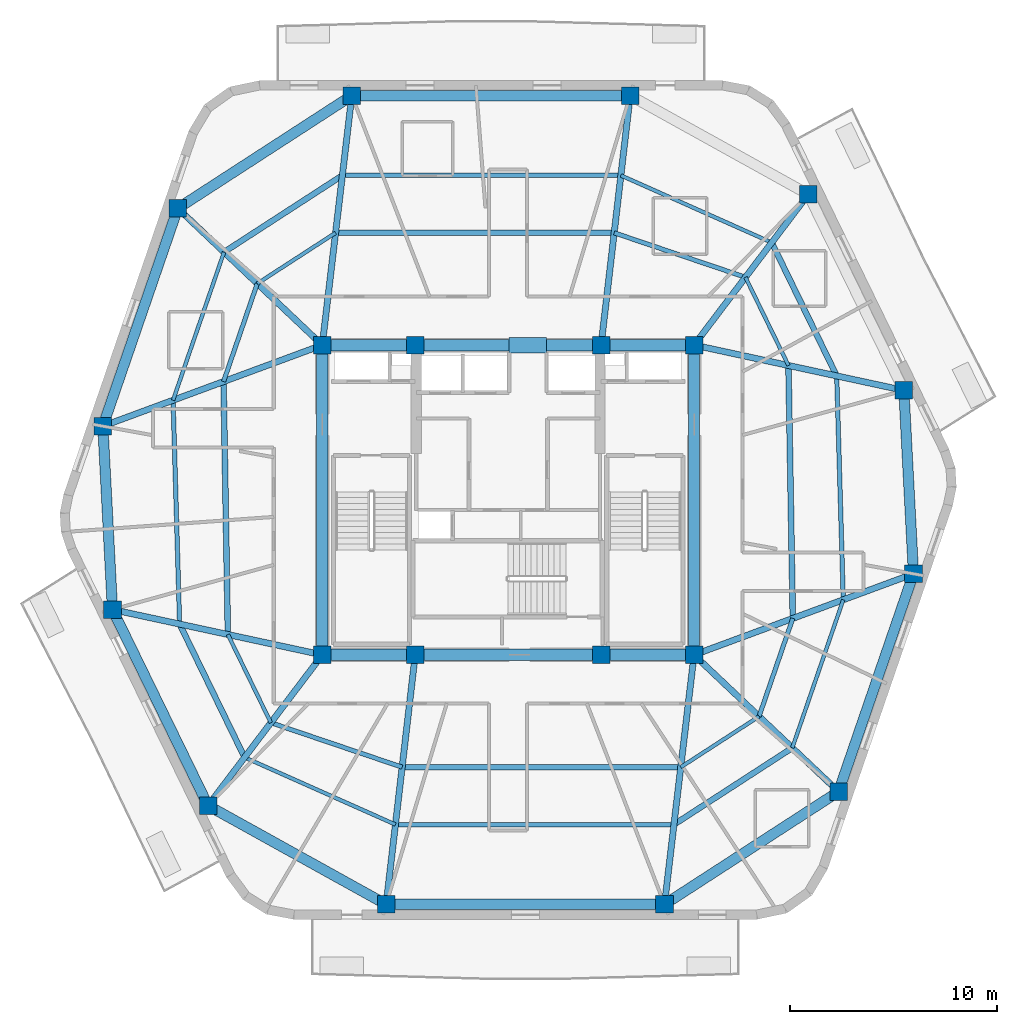
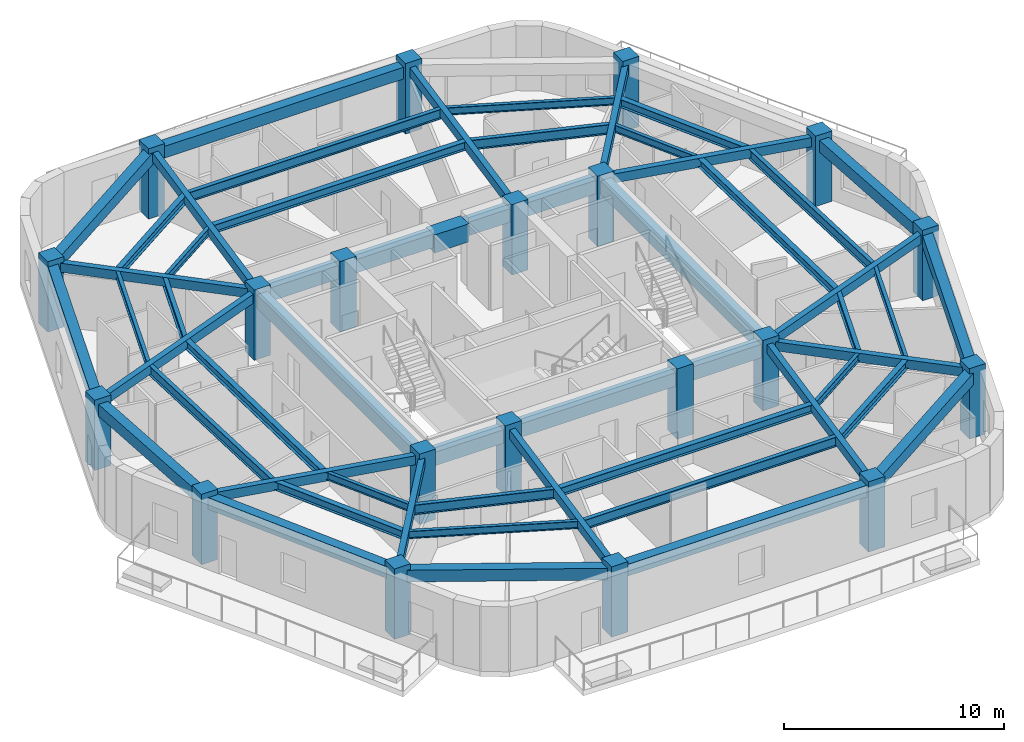
# One storey, part 1 of 9: 55 beams, 20 columns.
"""IFC4 building model written with IfcOpenShell, lengths in metres."""

from ifc_helpers import new_model, si_unit, direction, frame, origin, origin_2d, place, context, subcontext, project, spatial, rectangle, i_section, extrude, material, material_profile, profile_set, type_object, element, save


model = new_model("IFC4")

# Units and contexts
model_context = context("Model", 3, precision=1e-05, world=origin(), true_north=direction((0.0, 1.0)))
body_context = subcontext(model_context, "Body", "Model", "MODEL_VIEW")
ifc_project = project(units=[si_unit("LENGTHUNIT", "METRE"), si_unit("AREAUNIT", "SQUARE_METRE"), si_unit("VOLUMEUNIT", "CUBIC_METRE"), si_unit("PLANEANGLEUNIT", "RADIAN"), si_unit("MASSUNIT", "GRAM", prefix="KILO")], contexts=[model_context])

# Site, building, storey
site_placement = place(None, origin())
site = spatial("IfcSite", under=ifc_project, at=site_placement, CompositionType="ELEMENT")
building_placement = place(site_placement, origin())
building = spatial("IfcBuilding", under=site, at=building_placement, Name="Kilnhurst Terrace Hotel", CompositionType="ELEMENT")
storey_placement = place(building_placement, frame((0.0, 0.0, 280.800048828125)))
storey = spatial("IfcBuildingStorey", under=building, at=storey_placement, Name="L70", CompositionType="ELEMENT", Elevation=280.800048828125)

# Columns
ifc_material_1 = material(Name="Concrete C60/75", Category="concrete")
ifc_material_profile_1 = material_profile(ifc_material_1, rectangle(XDim=0.85009765625, YDim=0.85009765625, at=origin_2d()), Name="RC850X850")
ifc_profile_set_1 = profile_set([ifc_material_profile_1], Name="Concrete C60/75")
column_type = type_object("IfcColumnType", Name="COL-RC-850", PredefinedType="COLUMN", material=ifc_profile_set_1)
for number, where, z_axis, x_axis, name in (
    (1, (-9.0, -7.5, 0.0), (0.0, 0.0, 1.0), (1.0, 0.0, 0.0), "L70 Structural Column CC-SW"),
    (2, (-4.5, -7.5, 0.0), (0.0, 0.0, 1.0), (1.0, 0.0, 0.0), "L70 Structural Column CC-SC1"),
    (3, (4.5, -7.5, 0.0), (0.0, 0.0, 1.0), (1.0, 0.0, 0.0), "L70 Structural Column CC-SC2"),
    (4, (9.0, -7.5, 0.0), (0.0, 0.0, 1.0), (1.0, 0.0, 0.0), "L70 Structural Column CC-SE"),
    (5, (9.0, 7.5, 0.0), (0.0, 0.0, 1.0), (1.0, 0.0, 0.0), "L70 Structural Column CC-NE"),
    (6, (4.5, 7.5, 0.0), (0.0, 0.0, 1.0), (1.0, 0.0, 0.0), "L70 Structural Column CC-NC2"),
    (7, (-4.5, 7.5, 0.0), (0.0, 0.0, 1.0), (1.0, 0.0, 0.0), "L70 Structural Column CC-NC1"),
    (8, (-9.0, 7.5, 0.0), (0.0, 0.0, 1.0), (1.0, 0.0, 0.0), "L70 Structural Column CC-NW"),
    (9, (-5.907958984375, -19.580078125, 0.0), (0.0, 0.0, 1.0), (1.0, 0.0, 0.0), "L70 Structural Column PC-F11"),
    (10, (7.569091796875, -19.580078125, 0.0), (0.0, 0.0, 1.0), (1.0, 0.0, 0.0), "L70 Structural Column PC-F12"),
    (11, (15.9951171875, -14.12109375, 0.0), (0.0, 0.0, 1.0), (1.0, 0.0, 0.0), "L70 Structural Column PC-F21"),
    (12, (19.6240234375, -3.573974609375, 0.0), (0.0, 0.0, 1.0), (1.0, 0.0, 0.0), "L70 Structural Column PC-F22"),
    (13, (19.157958984375, 5.304931640625, 0.0), (0.0, 0.0, 1.0), (1.0, 0.0, 0.0), "L70 Structural Column PC-F31"),
    (14, (14.531005859375, 14.798095703125, 0.0), (0.0, 0.0, 1.0), (1.0, 0.0, 0.0), "L70 Structural Column PC-F32"),
    (15, (5.907958984375, 19.580078125, 0.0), (0.0, 0.0, 1.0), (1.0, 0.0, 0.0), "L70 Structural Column PC-F41"),
    (16, (-7.569091796875, 19.580078125, 0.0), (0.0, 0.0, 1.0), (1.0, 0.0, 0.0), "L70 Structural Column PC-F42"),
    (17, (-15.9951171875, 14.12109375, 0.0), (0.0, 0.0, 1.0), (1.0, 0.0, 0.0), "L70 Structural Column PC-F51"),
    (18, (-19.6240234375, 3.573974609375, 0.0), (0.0, 0.0, 1.0), (1.0, 0.0, 0.0), "L70 Structural Column PC-F52"),
    (19, (-19.157958984375, -5.304931640625, 0.0), (0.0, 0.0, 1.0), (1.0, 0.0, 0.0), "L70 Structural Column PC-F61"),
    (20, (-14.531005859375, -14.798095703125, 0.0), (0.0, 0.0, 1.0), (1.0, 0.0, 0.0), "L70 Structural Column PC-F62"),
):
    element("IfcColumn", number, at=place(storey_placement, frame(where, z_axis=z_axis, x_axis=x_axis)), inside=storey, type_object=column_type, Name=name, PredefinedType="COLUMN", context=body_context, shape_type="SweptSolid", body=[
        extrude(rectangle(XDim=0.85009765625, YDim=0.85009765625, at=origin_2d()), origin(), (0.0, 0.0, 1.0), 3.89990234375),
    ])

# Beams
ifc_material_2 = material(Name="Concrete C50/60", Category="concrete")
ifc_material_profile_2 = material_profile(ifc_material_2, rectangle(XDim=0.300048828125, YDim=0.5, at=origin_2d()), Name="RC300X500")
ifc_profile_set_2 = profile_set([ifc_material_profile_2], Name="Concrete C50/60")
beam_type_1 = type_object("IfcBeamType", Name="BM-RAD-300X500", PredefinedType="BEAM", material=ifc_profile_set_2)
beam_1_placement = place(storey_placement, frame((-4.5, -7.5, 3.349853515625), z_axis=(-0.115768472001, -0.993276225876, 0.0), x_axis=(0.993276225876, -0.115768472001, 0.0)))
element("IfcBeam", 21, at=beam_1_placement, inside=storey, type_object=beam_type_1, Name="L70 Radial Floor Beam 1", PredefinedType="BEAM", context=body_context, shape_type="SweptSolid", body=[
    extrude(rectangle(XDim=0.300048828125, YDim=0.5, at=origin_2d()), origin(), (0.0, 0.0, 1.0), 12.161865234375),
])
beam_2_placement = place(storey_placement, frame((9.0, -7.5, 3.349853515625), z_axis=(-0.117629552811, -0.993057545314, 0.0), x_axis=(0.993057545314, -0.117629552811, 0.0)))
element("IfcBeam", 22, at=beam_2_placement, inside=storey, type_object=beam_type_1, Name="L70 Radial Floor Beam 2", PredefinedType="BEAM", context=body_context, shape_type="SweptSolid", body=[
    extrude(rectangle(XDim=0.300048828125, YDim=0.5, at=origin_2d()), origin(), (0.0, 0.0, 1.0), 12.16455078125),
])
beam_3_placement = place(storey_placement, frame((9.0, -7.5, 3.349853515625), z_axis=(0.726256338973, -0.687423981326, 0.0), x_axis=(0.687423981326, 0.726256338973, 0.0)))
element("IfcBeam", 23, at=beam_3_placement, inside=storey, type_object=beam_type_1, Name="L70 Radial Floor Beam 3", PredefinedType="BEAM", context=body_context, shape_type="SweptSolid", body=[
    extrude(rectangle(XDim=0.300048828125, YDim=0.5, at=origin_2d()), origin(), (0.0, 0.0, 1.0), 9.6318359375),
])
beam_4_placement = place(storey_placement, frame((9.0, -7.5, 3.349853515625), z_axis=(0.938001507479, 0.3466311757, 0.0), x_axis=(-0.3466311757, 0.938001507479, 0.0)))
element("IfcBeam", 24, at=beam_4_placement, inside=storey, type_object=beam_type_1, Name="L70 Radial Floor Beam 4", PredefinedType="BEAM", context=body_context, shape_type="SweptSolid", body=[
    extrude(rectangle(XDim=0.300048828125, YDim=0.5, at=origin_2d()), origin(), (0.0, 0.0, 1.0), 11.326171875),
])
beam_5_placement = place(storey_placement, frame((9.0, 7.5, 3.349853515625), z_axis=(0.977438945995, -0.211218149913, 0.0), x_axis=(0.211218149913, 0.977438945995, 0.0)))
element("IfcBeam", 25, at=beam_5_placement, inside=storey, type_object=beam_type_1, Name="L70 Radial Floor Beam 5", PredefinedType="BEAM", context=body_context, shape_type="SweptSolid", body=[
    extrude(rectangle(XDim=0.300048828125, YDim=0.5, at=origin_2d()), origin(), (0.0, 0.0, 1.0), 10.392333984375),
])
beam_6_placement = place(storey_placement, frame((9.0, 7.5, 3.349853515625), z_axis=(0.604006537698, 0.79697936135, 0.0), x_axis=(-0.79697936135, 0.604006537698, 0.0)))
element("IfcBeam", 26, at=beam_6_placement, inside=storey, type_object=beam_type_1, Name="L70 Radial Floor Beam 6", PredefinedType="BEAM", context=body_context, shape_type="SweptSolid", body=[
    extrude(rectangle(XDim=0.300048828125, YDim=0.5, at=origin_2d()), origin(), (0.0, 0.0, 1.0), 9.1572265625),
])
beam_7_placement = place(storey_placement, frame((4.5, 7.5, 3.349853515625), z_axis=(0.115768472001, 0.993276225876, 0.0), x_axis=(-0.993276225876, 0.115768472001, 0.0)))
element("IfcBeam", 27, at=beam_7_placement, inside=storey, type_object=beam_type_1, Name="L70 Radial Floor Beam 7", PredefinedType="BEAM", context=body_context, shape_type="SweptSolid", body=[
    extrude(rectangle(XDim=0.300048828125, YDim=0.5, at=origin_2d()), origin(), (0.0, 0.0, 1.0), 12.161865234375),
])
beam_8_placement = place(storey_placement, frame((-9.0, 7.5, 3.349853515625), z_axis=(0.117629552811, 0.993057545314, 0.0), x_axis=(-0.993057545314, 0.117629552811, 0.0)))
element("IfcBeam", 28, at=beam_8_placement, inside=storey, type_object=beam_type_1, Name="L70 Radial Floor Beam 8", PredefinedType="BEAM", context=body_context, shape_type="SweptSolid", body=[
    extrude(rectangle(XDim=0.300048828125, YDim=0.5, at=origin_2d()), origin(), (0.0, 0.0, 1.0), 12.16455078125),
])
beam_9_placement = place(storey_placement, frame((-9.0, 7.5, 3.349853515625), z_axis=(-0.726256338973, 0.687423981326, 0.0), x_axis=(-0.687423981326, -0.726256338973, 0.0)))
element("IfcBeam", 29, at=beam_9_placement, inside=storey, type_object=beam_type_1, Name="L70 Radial Floor Beam 9", PredefinedType="BEAM", context=body_context, shape_type="SweptSolid", body=[
    extrude(rectangle(XDim=0.300048828125, YDim=0.5, at=origin_2d()), origin(), (0.0, 0.0, 1.0), 9.6318359375),
])
beam_10_placement = place(storey_placement, frame((-9.0, 7.5, 3.349853515625), z_axis=(-0.938001507479, -0.3466311757, 0.0), x_axis=(0.3466311757, -0.938001507479, 0.0)))
element("IfcBeam", 30, at=beam_10_placement, inside=storey, type_object=beam_type_1, Name="L70 Radial Floor Beam 10", PredefinedType="BEAM", context=body_context, shape_type="SweptSolid", body=[
    extrude(rectangle(XDim=0.300048828125, YDim=0.5, at=origin_2d()), origin(), (0.0, 0.0, 1.0), 11.326171875),
])
beam_11_placement = place(storey_placement, frame((-9.0, -7.5, 3.349853515625), z_axis=(-0.977438945995, 0.211218149913, 0.0), x_axis=(-0.211218149913, -0.977438945995, 0.0)))
element("IfcBeam", 31, at=beam_11_placement, inside=storey, type_object=beam_type_1, Name="L70 Radial Floor Beam 11", PredefinedType="BEAM", context=body_context, shape_type="SweptSolid", body=[
    extrude(rectangle(XDim=0.300048828125, YDim=0.5, at=origin_2d()), origin(), (0.0, 0.0, 1.0), 10.392333984375),
])
beam_12_placement = place(storey_placement, frame((-9.0, -7.5, 3.349853515625), z_axis=(-0.604006537698, -0.79697936135, 0.0), x_axis=(0.79697936135, -0.604006537698, 0.0)))
element("IfcBeam", 32, at=beam_12_placement, inside=storey, type_object=beam_type_1, Name="L70 Radial Floor Beam 12", PredefinedType="BEAM", context=body_context, shape_type="SweptSolid", body=[
    extrude(rectangle(XDim=0.300048828125, YDim=0.5, at=origin_2d()), origin(), (0.0, 0.0, 1.0), 9.1572265625),
])
ifc_material_profile_3 = material_profile(ifc_material_2, rectangle(XDim=0.5, YDim=0.64990234375, at=origin_2d()), Name="RC500X650")
ifc_profile_set_3 = profile_set([ifc_material_profile_3], Name="Concrete C50/60")
beam_type_2 = type_object("IfcBeamType", Name="BM-SPN-500X650", PredefinedType="SPANDREL", material=ifc_profile_set_3)
beam_13_placement = place(storey_placement, frame((-5.907958984375, -19.580078125, 3.27490234375), z_axis=(1.0, 0.0, 0.0), x_axis=(0.0, 1.0, 0.0)))
element("IfcBeam", 33, at=beam_13_placement, inside=storey, type_object=beam_type_2, Name="L70 Perimeter Spandrel Beam 1", PredefinedType="SPANDREL", context=body_context, shape_type="SweptSolid", body=[
    extrude(rectangle(XDim=0.5, YDim=0.64990234375, at=origin_2d()), origin(), (0.0, 0.0, 1.0), 13.47705078125),
])
beam_14_placement = place(storey_placement, frame((7.569091796875, -19.580078125, 3.27490234375), z_axis=(0.839258818809, 0.543732135386, 0.0), x_axis=(-0.543732135386, 0.839258818809, 0.0)))
element("IfcBeam", 34, at=beam_14_placement, inside=storey, type_object=beam_type_2, Name="L70 Perimeter Spandrel Beam 2", PredefinedType="SPANDREL", context=body_context, shape_type="SweptSolid", body=[
    extrude(rectangle(XDim=0.5, YDim=0.64990234375, at=origin_2d()), origin(), (0.0, 0.0, 1.0), 10.039794921875),
])
beam_15_placement = place(storey_placement, frame((15.9951171875, -14.12109375, 3.27490234375), z_axis=(0.325347079026, 0.945594669068, 0.0), x_axis=(-0.945594669068, 0.325347079026, 0.0)))
element("IfcBeam", 35, at=beam_15_placement, inside=storey, type_object=beam_type_2, Name="L70 Perimeter Spandrel Beam 3", PredefinedType="SPANDREL", context=body_context, shape_type="SweptSolid", body=[
    extrude(rectangle(XDim=0.5, YDim=0.64990234375, at=origin_2d()), origin(), (0.0, 0.0, 1.0), 11.154052734375),
])
beam_16_placement = place(storey_placement, frame((19.6240234375, -3.573974609375, 3.27490234375), z_axis=(-0.052419034962, 0.998625177318, 0.0), x_axis=(-0.998625177318, -0.052419034962, 0.0)))
element("IfcBeam", 36, at=beam_16_placement, inside=storey, type_object=beam_type_2, Name="L70 Perimeter Spandrel Beam 4", PredefinedType="SPANDREL", context=body_context, shape_type="SweptSolid", body=[
    extrude(rectangle(XDim=0.5, YDim=0.64990234375, at=origin_2d()), origin(), (0.0, 0.0, 1.0), 8.89111328125),
])
beam_17_placement = place(storey_placement, frame((5.907958984375, 19.580078125, 3.27490234375), z_axis=(-1.0, 0.0, 0.0), x_axis=(0.0, -1.0, 0.0)))
element("IfcBeam", 37, at=beam_17_placement, inside=storey, type_object=beam_type_2, Name="L70 Perimeter Spandrel Beam 7", PredefinedType="SPANDREL", context=body_context, shape_type="SweptSolid", body=[
    extrude(rectangle(XDim=0.5, YDim=0.64990234375, at=origin_2d()), origin(), (0.0, 0.0, 1.0), 13.47705078125),
])
beam_18_placement = place(storey_placement, frame((-7.569091796875, 19.580078125, 3.27490234375), z_axis=(-0.839258818809, -0.543732135386, 0.0), x_axis=(0.543732135386, -0.839258818809, 0.0)))
element("IfcBeam", 38, at=beam_18_placement, inside=storey, type_object=beam_type_2, Name="L70 Perimeter Spandrel Beam 8", PredefinedType="SPANDREL", context=body_context, shape_type="SweptSolid", body=[
    extrude(rectangle(XDim=0.5, YDim=0.64990234375, at=origin_2d()), origin(), (0.0, 0.0, 1.0), 10.039794921875),
])
beam_19_placement = place(storey_placement, frame((-15.9951171875, 14.12109375, 3.27490234375), z_axis=(-0.325347079026, -0.945594669068, 0.0), x_axis=(0.945594669068, -0.325347079026, 0.0)))
element("IfcBeam", 39, at=beam_19_placement, inside=storey, type_object=beam_type_2, Name="L70 Perimeter Spandrel Beam 9", PredefinedType="SPANDREL", context=body_context, shape_type="SweptSolid", body=[
    extrude(rectangle(XDim=0.5, YDim=0.64990234375, at=origin_2d()), origin(), (0.0, 0.0, 1.0), 11.154052734375),
])
beam_20_placement = place(storey_placement, frame((-19.6240234375, 3.573974609375, 3.27490234375), z_axis=(0.052419034962, -0.998625177318, 0.0), x_axis=(0.998625177318, 0.052419034962, 0.0)))
element("IfcBeam", 40, at=beam_20_placement, inside=storey, type_object=beam_type_2, Name="L70 Perimeter Spandrel Beam 10", PredefinedType="SPANDREL", context=body_context, shape_type="SweptSolid", body=[
    extrude(rectangle(XDim=0.5, YDim=0.64990234375, at=origin_2d()), origin(), (0.0, 0.0, 1.0), 8.89111328125),
])
beam_21_placement = place(storey_placement, frame((-19.157958984375, -5.304931640625, 3.27490234375), z_axis=(0.438128464895, -0.898912369616, 0.0), x_axis=(0.898912369616, 0.438128464895, 0.0)))
element("IfcBeam", 41, at=beam_21_placement, inside=storey, type_object=beam_type_2, Name="L70 Perimeter Spandrel Beam 11", PredefinedType="SPANDREL", context=body_context, shape_type="SweptSolid", body=[
    extrude(rectangle(XDim=0.5, YDim=0.64990234375, at=origin_2d()), origin(), (0.0, 0.0, 1.0), 10.560791015625),
])
beam_22_placement = place(storey_placement, frame((-14.531005859375, -14.798095703125, 3.27490234375), z_axis=(0.874527255888, -0.484976369227, 0.0), x_axis=(0.484976369227, 0.874527255888, 0.0)))
element("IfcBeam", 42, at=beam_22_placement, inside=storey, type_object=beam_type_2, Name="L70 Perimeter Spandrel Beam 12", PredefinedType="SPANDREL", context=body_context, shape_type="SweptSolid", body=[
    extrude(rectangle(XDim=0.5, YDim=0.64990234375, at=origin_2d()), origin(), (0.0, 0.0, 1.0), 9.8603515625),
])
ifc_material_profile_4 = material_profile(ifc_material_2, rectangle(XDim=0.550048828125, YDim=0.75, at=origin_2d()), Name="RC550X750")
ifc_profile_set_4 = profile_set([ifc_material_profile_4], Name="Concrete C50/60")
beam_type_3 = type_object("IfcBeamType", Name="BM-SPN-550X750", PredefinedType="SPANDREL", material=ifc_profile_set_4)
beam_23_placement = place(storey_placement, frame((-9.0, 7.5, 3.224853515625), z_axis=(1.0, 0.0, 0.0), x_axis=(0.0, 1.0, 0.0)))
element("IfcBeam", 43, at=beam_23_placement, inside=storey, type_object=beam_type_3, Name="L70 Core Tie Beam CC-NW to CC-NC1", PredefinedType="SPANDREL", context=body_context, shape_type="SweptSolid", body=[
    extrude(rectangle(XDim=0.550048828125, YDim=0.75, at=origin_2d()), origin(), (0.0, 0.0, 1.0), 4.5),
])
beam_24_placement = place(storey_placement, frame((-4.5, 7.5, 3.224853515625), z_axis=(1.0, 0.0, 0.0), x_axis=(0.0, 1.0, 0.0)))
element("IfcBeam", 44, at=beam_24_placement, inside=storey, type_object=beam_type_3, Name="L70 Core Tie Beam CC-NC1 to CC-NC2", PredefinedType="SPANDREL", context=body_context, shape_type="SweptSolid", body=[
    extrude(rectangle(XDim=0.550048828125, YDim=0.75, at=origin_2d()), origin(), (0.0, 0.0, 1.0), 9.0),
])
for number, where, z_axis, x_axis, name in (
    (45, (4.5, 7.5, 3.224853515625), (1.0, 0.0, 0.0), (0.0, 1.0, 0.0), "L70 Core Tie Beam CC-NC2 to CC-NE"),
    (46, (-9.0, -7.5, 3.224853515625), (1.0, 0.0, 0.0), (0.0, 1.0, 0.0), "L70 Core Tie Beam CC-SW to CC-SC1"),
):
    element("IfcBeam", number, at=place(storey_placement, frame(where, z_axis=z_axis, x_axis=x_axis)), inside=storey, type_object=beam_type_3, Name=name, PredefinedType="SPANDREL", context=body_context, shape_type="SweptSolid", body=[
        extrude(rectangle(XDim=0.550048828125, YDim=0.75, at=origin_2d()), origin(), (0.0, 0.0, 1.0), 4.5),
    ])
beam_25_placement = place(storey_placement, frame((-4.5, -7.5, 3.224853515625), z_axis=(1.0, 0.0, 0.0), x_axis=(0.0, 1.0, 0.0)))
element("IfcBeam", 47, at=beam_25_placement, inside=storey, type_object=beam_type_3, Name="L70 Core Tie Beam CC-SC1 to CC-SC2", PredefinedType="SPANDREL", context=body_context, shape_type="SweptSolid", body=[
    extrude(rectangle(XDim=0.550048828125, YDim=0.75, at=origin_2d()), origin(), (0.0, 0.0, 1.0), 9.0),
])
beam_26_placement = place(storey_placement, frame((4.5, -7.5, 3.224853515625), z_axis=(1.0, 0.0, 0.0), x_axis=(0.0, 1.0, 0.0)))
element("IfcBeam", 48, at=beam_26_placement, inside=storey, type_object=beam_type_3, Name="L70 Core Tie Beam CC-SC2 to CC-SE", PredefinedType="SPANDREL", context=body_context, shape_type="SweptSolid", body=[
    extrude(rectangle(XDim=0.550048828125, YDim=0.75, at=origin_2d()), origin(), (0.0, 0.0, 1.0), 4.5),
])
for number, where, z_axis, x_axis, name in (
    (49, (-9.0, -7.5, 3.224853515625), (0.0, 1.0, 0.0), (-1.0, 0.0, 0.0), "L70 Core Tie Beam CC-SW to CC-NW"),
    (50, (9.0, -7.5, 3.224853515625), (0.0, 1.0, 0.0), (-1.0, 0.0, 0.0), "L70 Core Tie Beam CC-SE to CC-NE"),
):
    element("IfcBeam", number, at=place(storey_placement, frame(where, z_axis=z_axis, x_axis=x_axis)), inside=storey, type_object=beam_type_3, Name=name, PredefinedType="SPANDREL", context=body_context, shape_type="SweptSolid", body=[
        extrude(rectangle(XDim=0.550048828125, YDim=0.75, at=origin_2d()), origin(), (0.0, 0.0, 1.0), 15.0),
    ])
ifc_material_3 = material(Name="Steel ASTM A992 Grade 50", Category="steel")
ifc_material_profile_5 = material_profile(ifc_material_3, i_section(OverallWidth=0.180908203125, OverallDepth=0.417236328125, WebThickness=0.010986328125, FlangeThickness=0.018310546875, at=origin_2d()), Name="W16X57")
ifc_profile_set_5 = profile_set([ifc_material_profile_5], Name="Steel ASTM A992 Grade 50")
beam_type_4 = type_object("IfcBeamType", Name="JST-STL-W16X57", PredefinedType="JOIST", material=ifc_profile_set_5)
beam_27_placement = place(storey_placement, frame((13.756591796875, -12.002197265625, 3.390869140625), z_axis=(0.325367628202, 0.945587598543, 0.0), x_axis=(-0.945587598543, 0.325367628202, 0.0)))
element("IfcBeam", 51, at=beam_27_placement, inside=storey, type_object=beam_type_4, Name="L70 Secondary Floor Steel Joist OUT.3", PredefinedType="JOIST", context=body_context, shape_type="SweptSolid", body=[
    extrude(i_section(OverallWidth=0.180908203125, OverallDepth=0.417236328125, WebThickness=0.010986328125, FlangeThickness=0.018310546875, at=origin_2d()), origin(), (0.0, 0.0, 1.0), 7.58447265625),
])
beam_28_placement = place(storey_placement, frame((12.760986328125, 12.462646484375, 3.390869140625), z_axis=(-0.913545640569, 0.406736232216, 0.0), x_axis=(-0.406736232216, -0.913545640569, 0.0)))
element("IfcBeam", 52, at=beam_28_placement, inside=storey, type_object=beam_type_4, Name="L70 Secondary Floor Steel Joist OUT.6", PredefinedType="JOIST", context=body_context, shape_type="SweptSolid", body=[
    extrude(i_section(OverallWidth=0.180908203125, OverallDepth=0.417236328125, WebThickness=0.010986328125, FlangeThickness=0.018310546875, at=origin_2d()), origin(), (0.0, 0.0, 1.0), 7.99462890625),
])
beam_29_placement = place(storey_placement, frame((-13.756591796875, 12.002197265625, 3.390869140625), z_axis=(-0.325367628202, -0.945587598543, 0.0), x_axis=(0.945587598543, -0.325367628202, 0.0)))
element("IfcBeam", 53, at=beam_29_placement, inside=storey, type_object=beam_type_4, Name="L70 Secondary Floor Steel Joist OUT.9", PredefinedType="JOIST", context=body_context, shape_type="SweptSolid", body=[
    extrude(i_section(OverallWidth=0.180908203125, OverallDepth=0.417236328125, WebThickness=0.010986328125, FlangeThickness=0.018310546875, at=origin_2d()), origin(), (0.0, 0.0, 1.0), 7.58447265625),
])
beam_30_placement = place(storey_placement, frame((-12.760986328125, -12.462646484375, 3.390869140625), z_axis=(0.913545640569, -0.406736232216, 0.0), x_axis=(0.406736232216, 0.913545640569, 0.0)))
element("IfcBeam", 54, at=beam_30_placement, inside=storey, type_object=beam_type_4, Name="L70 Secondary Floor Steel Joist OUT.12", PredefinedType="JOIST", context=body_context, shape_type="SweptSolid", body=[
    extrude(i_section(OverallWidth=0.180908203125, OverallDepth=0.417236328125, WebThickness=0.010986328125, FlangeThickness=0.018310546875, at=origin_2d()), origin(), (0.0, 0.0, 1.0), 7.99462890625),
])
beam_31_placement = place(storey_placement, frame((8.35595703125, -12.93603515625, 3.390869140625), z_axis=(0.839261215199, 0.543728436503, 0.0), x_axis=(-0.543728436503, 0.839261215199, 0.0)))
element("IfcBeam", 55, at=beam_31_placement, inside=storey, type_object=beam_type_4, Name="L70 Secondary Floor Steel Joist IN.2", PredefinedType="JOIST", context=body_context, shape_type="SweptSolid", body=[
    extrude(i_section(OverallWidth=0.180908203125, OverallDepth=0.417236328125, WebThickness=0.010986328125, FlangeThickness=0.018310546875, at=origin_2d()), origin(), (0.0, 0.0, 1.0), 4.51806640625),
])
beam_32_placement = place(storey_placement, frame((13.571044921875, 6.51220703125, 3.390869140625), z_axis=(-0.438107813647, 0.898922434708, 0.0), x_axis=(-0.898922434708, -0.438107813647, 0.0)))
element("IfcBeam", 56, at=beam_32_placement, inside=storey, type_object=beam_type_4, Name="L70 Secondary Floor Steel Joist IN.5", PredefinedType="JOIST", context=body_context, shape_type="SweptSolid", body=[
    extrude(i_section(OverallWidth=0.180908203125, OverallDepth=0.417236328125, WebThickness=0.010986328125, FlangeThickness=0.018310546875, at=origin_2d()), origin(), (0.0, 0.0, 1.0), 4.75244140625),
])
beam_33_placement = place(storey_placement, frame((-8.35595703125, 12.93603515625, 3.390869140625), z_axis=(-0.839261215199, -0.543728436503, 0.0), x_axis=(0.543728436503, -0.839261215199, 0.0)))
element("IfcBeam", 57, at=beam_33_placement, inside=storey, type_object=beam_type_4, Name="L70 Secondary Floor Steel Joist IN.8", PredefinedType="JOIST", context=body_context, shape_type="SweptSolid", body=[
    extrude(i_section(OverallWidth=0.180908203125, OverallDepth=0.417236328125, WebThickness=0.010986328125, FlangeThickness=0.018310546875, at=origin_2d()), origin(), (0.0, 0.0, 1.0), 4.51806640625),
])
beam_34_placement = place(storey_placement, frame((-13.571044921875, -6.51220703125, 3.390869140625), z_axis=(0.438107813647, -0.898922434708, 0.0), x_axis=(0.898922434708, 0.438107813647, 0.0)))
element("IfcBeam", 58, at=beam_34_placement, inside=storey, type_object=beam_type_4, Name="L70 Secondary Floor Steel Joist IN.11", PredefinedType="JOIST", context=body_context, shape_type="SweptSolid", body=[
    extrude(i_section(OverallWidth=0.180908203125, OverallDepth=0.417236328125, WebThickness=0.010986328125, FlangeThickness=0.018310546875, at=origin_2d()), origin(), (0.0, 0.0, 1.0), 4.75244140625),
])
ifc_material_profile_6 = material_profile(ifc_material_3, i_section(OverallWidth=0.279296875, OverallDepth=0.462890625, WebThickness=0.0107421875, FlangeThickness=0.017333984375, at=origin_2d()), Name="W18X76")
ifc_profile_set_6 = profile_set([ifc_material_profile_6], Name="Steel ASTM A992 Grade 50")
beam_type_5 = type_object("IfcBeamType", Name="JST-STL-W18X76", PredefinedType="JOIST", material=ifc_profile_set_6)
beam_35_placement = place(storey_placement, frame((8.02685546875, -15.71435546875, 3.367919921875), z_axis=(0.839257246669, 0.543734562001, 0.0), x_axis=(-0.543734562001, 0.839257246669, 0.0)))
element("IfcBeam", 59, at=beam_35_placement, inside=storey, type_object=beam_type_5, Name="L70 Secondary Floor Steel Joist OUT.2", PredefinedType="JOIST", context=body_context, shape_type="SweptSolid", body=[
    extrude(i_section(OverallWidth=0.279296875, OverallDepth=0.462890625, WebThickness=0.0107421875, FlangeThickness=0.017333984375, at=origin_2d()), origin(), (0.0, 0.0, 1.0), 6.8271484375),
])
beam_36_placement = place(storey_placement, frame((15.907470703125, 6.00732421875, 3.367919921875), z_axis=(-0.438147652742, 0.898903017237, 0.0), x_axis=(-0.898903017237, -0.438147652742, 0.0)))
element("IfcBeam", 60, at=beam_36_placement, inside=storey, type_object=beam_type_5, Name="L70 Secondary Floor Steel Joist OUT.5", PredefinedType="JOIST", context=body_context, shape_type="SweptSolid", body=[
    extrude(i_section(OverallWidth=0.279296875, OverallDepth=0.462890625, WebThickness=0.0107421875, FlangeThickness=0.017333984375, at=origin_2d()), origin(), (0.0, 0.0, 1.0), 7.181396484375),
])
beam_37_placement = place(storey_placement, frame((-8.02685546875, 15.71435546875, 3.367919921875), z_axis=(-0.839257246669, -0.543734562001, 0.0), x_axis=(0.543734562001, -0.839257246669, 0.0)))
element("IfcBeam", 61, at=beam_37_placement, inside=storey, type_object=beam_type_5, Name="L70 Secondary Floor Steel Joist OUT.8", PredefinedType="JOIST", context=body_context, shape_type="SweptSolid", body=[
    extrude(i_section(OverallWidth=0.279296875, OverallDepth=0.462890625, WebThickness=0.0107421875, FlangeThickness=0.017333984375, at=origin_2d()), origin(), (0.0, 0.0, 1.0), 6.8271484375),
])
beam_38_placement = place(storey_placement, frame((-15.907470703125, -6.00732421875, 3.367919921875), z_axis=(0.438147652742, -0.898903017237, 0.0), x_axis=(0.898903017237, 0.438147652742, 0.0)))
element("IfcBeam", 62, at=beam_38_placement, inside=storey, type_object=beam_type_5, Name="L70 Secondary Floor Steel Joist OUT.11", PredefinedType="JOIST", context=body_context, shape_type="SweptSolid", body=[
    extrude(i_section(OverallWidth=0.279296875, OverallDepth=0.462890625, WebThickness=0.0107421875, FlangeThickness=0.017333984375, at=origin_2d()), origin(), (0.0, 0.0, 1.0), 7.181396484375),
])
beam_39_placement = place(storey_placement, frame((-5.133544921875, -12.93603515625, 3.367919921875), z_axis=(1.0, 0.0, 0.0), x_axis=(0.0, 1.0, 0.0)))
element("IfcBeam", 63, at=beam_39_placement, inside=storey, type_object=beam_type_5, Name="L70 Secondary Floor Steel Joist IN.1", PredefinedType="JOIST", context=body_context, shape_type="SweptSolid", body=[
    extrude(i_section(OverallWidth=0.279296875, OverallDepth=0.462890625, WebThickness=0.0107421875, FlangeThickness=0.017333984375, at=origin_2d()), origin(), (0.0, 0.0, 1.0), 13.489501953125),
])
beam_40_placement = place(storey_placement, frame((13.78076171875, -5.7333984375, 3.367919921875), z_axis=(-0.01712337129, 0.99985338433, 0.0), x_axis=(-0.99985338433, -0.01712337129, 0.0)))
element("IfcBeam", 64, at=beam_40_placement, inside=storey, type_object=beam_type_5, Name="L70 Secondary Floor Steel Joist IN.4", PredefinedType="JOIST", context=body_context, shape_type="SweptSolid", body=[
    extrude(i_section(OverallWidth=0.279296875, OverallDepth=0.462890625, WebThickness=0.0107421875, FlangeThickness=0.017333984375, at=origin_2d()), origin(), (0.0, 0.0, 1.0), 12.247314453125),
])
beam_41_placement = place(storey_placement, frame((5.133544921875, 12.93603515625, 3.367919921875), z_axis=(-1.0, 0.0, 0.0), x_axis=(0.0, -1.0, 0.0)))
element("IfcBeam", 65, at=beam_41_placement, inside=storey, type_object=beam_type_5, Name="L70 Secondary Floor Steel Joist IN.7", PredefinedType="JOIST", context=body_context, shape_type="SweptSolid", body=[
    extrude(i_section(OverallWidth=0.279296875, OverallDepth=0.462890625, WebThickness=0.0107421875, FlangeThickness=0.017333984375, at=origin_2d()), origin(), (0.0, 0.0, 1.0), 13.489501953125),
])
beam_42_placement = place(storey_placement, frame((-13.78076171875, 5.7333984375, 3.367919921875), z_axis=(0.01712337129, -0.99985338433, 0.0), x_axis=(0.99985338433, 0.01712337129, 0.0)))
element("IfcBeam", 66, at=beam_42_placement, inside=storey, type_object=beam_type_5, Name="L70 Secondary Floor Steel Joist IN.10", PredefinedType="JOIST", context=body_context, shape_type="SweptSolid", body=[
    extrude(i_section(OverallWidth=0.279296875, OverallDepth=0.462890625, WebThickness=0.0107421875, FlangeThickness=0.017333984375, at=origin_2d()), origin(), (0.0, 0.0, 1.0), 12.247314453125),
])
ifc_material_profile_7 = material_profile(ifc_material_3, i_section(OverallWidth=0.2138671875, OverallDepth=0.549072265625, WebThickness=0.0146484375, FlangeThickness=0.023681640625, at=origin_2d()), Name="W21X93")
ifc_profile_set_7 = profile_set([ifc_material_profile_7], Name="Steel ASTM A992 Grade 50")
beam_type_6 = type_object("IfcBeamType", Name="JST-STL-W21X93", PredefinedType="JOIST", material=ifc_profile_set_7)
beam_43_placement = place(storey_placement, frame((-5.45751953125, -15.71435546875, 3.324951171875), z_axis=(1.0, 0.0, 0.0), x_axis=(0.0, 1.0, 0.0)))
element("IfcBeam", 67, at=beam_43_placement, inside=storey, type_object=beam_type_6, Name="L70 Secondary Floor Steel Joist OUT.1", PredefinedType="JOIST", context=body_context, shape_type="SweptSolid", body=[
    extrude(i_section(OverallWidth=0.2138671875, OverallDepth=0.549072265625, WebThickness=0.0146484375, FlangeThickness=0.023681640625, at=origin_2d()), origin(), (0.0, 0.0, 1.0), 13.484375),
])
beam_44_placement = place(storey_placement, frame((16.224365234375, -4.830322265625, 3.324951171875), z_axis=(-0.029227669324, 0.999572780415, 0.0), x_axis=(-0.999572780415, -0.029227669324, 0.0)))
element("IfcBeam", 68, at=beam_44_placement, inside=storey, type_object=beam_type_6, Name="L70 Secondary Floor Steel Joist OUT.4", PredefinedType="JOIST", context=body_context, shape_type="SweptSolid", body=[
    extrude(i_section(OverallWidth=0.2138671875, OverallDepth=0.549072265625, WebThickness=0.0146484375, FlangeThickness=0.023681640625, at=origin_2d()), origin(), (0.0, 0.0, 1.0), 10.84228515625),
])
beam_45_placement = place(storey_placement, frame((5.45751953125, 15.71435546875, 3.324951171875), z_axis=(-1.0, 0.0, 0.0), x_axis=(0.0, -1.0, 0.0)))
element("IfcBeam", 69, at=beam_45_placement, inside=storey, type_object=beam_type_6, Name="L70 Secondary Floor Steel Joist OUT.7", PredefinedType="JOIST", context=body_context, shape_type="SweptSolid", body=[
    extrude(i_section(OverallWidth=0.2138671875, OverallDepth=0.549072265625, WebThickness=0.0146484375, FlangeThickness=0.023681640625, at=origin_2d()), origin(), (0.0, 0.0, 1.0), 13.484375),
])
beam_46_placement = place(storey_placement, frame((-16.224365234375, 4.830322265625, 3.324951171875), z_axis=(0.029227669324, -0.999572780415, 0.0), x_axis=(0.999572780415, 0.029227669324, 0.0)))
element("IfcBeam", 70, at=beam_46_placement, inside=storey, type_object=beam_type_6, Name="L70 Secondary Floor Steel Joist OUT.10", PredefinedType="JOIST", context=body_context, shape_type="SweptSolid", body=[
    extrude(i_section(OverallWidth=0.2138671875, OverallDepth=0.549072265625, WebThickness=0.0146484375, FlangeThickness=0.023681640625, at=origin_2d()), origin(), (0.0, 0.0, 1.0), 10.84228515625),
])
beam_47_placement = place(storey_placement, frame((12.147705078125, -10.4794921875, 3.324951171875), z_axis=(0.325362511486, 0.94558935914, 0.0), x_axis=(-0.94558935914, 0.325362511486, 0.0)))
element("IfcBeam", 71, at=beam_47_placement, inside=storey, type_object=beam_type_6, Name="L70 Secondary Floor Steel Joist IN.3", PredefinedType="JOIST", context=body_context, shape_type="SweptSolid", body=[
    extrude(i_section(OverallWidth=0.2138671875, OverallDepth=0.549072265625, WebThickness=0.0146484375, FlangeThickness=0.023681640625, at=origin_2d()), origin(), (0.0, 0.0, 1.0), 5.019287109375),
])
beam_48_placement = place(storey_placement, frame((11.489013671875, 10.7841796875, 3.324951171875), z_axis=(-0.947180946302, 0.320699633555, 0.0), x_axis=(-0.320699633555, -0.947180946302, 0.0)))
element("IfcBeam", 72, at=beam_48_placement, inside=storey, type_object=beam_type_6, Name="L70 Secondary Floor Steel Joist IN.6", PredefinedType="JOIST", context=body_context, shape_type="SweptSolid", body=[
    extrude(i_section(OverallWidth=0.2138671875, OverallDepth=0.549072265625, WebThickness=0.0146484375, FlangeThickness=0.023681640625, at=origin_2d()), origin(), (0.0, 0.0, 1.0), 6.7099609375),
])
beam_49_placement = place(storey_placement, frame((-12.147705078125, 10.4794921875, 3.324951171875), z_axis=(-0.325362511486, -0.94558935914, 0.0), x_axis=(0.94558935914, -0.325362511486, 0.0)))
element("IfcBeam", 73, at=beam_49_placement, inside=storey, type_object=beam_type_6, Name="L70 Secondary Floor Steel Joist IN.9", PredefinedType="JOIST", context=body_context, shape_type="SweptSolid", body=[
    extrude(i_section(OverallWidth=0.2138671875, OverallDepth=0.549072265625, WebThickness=0.0146484375, FlangeThickness=0.023681640625, at=origin_2d()), origin(), (0.0, 0.0, 1.0), 5.019287109375),
])
beam_50_placement = place(storey_placement, frame((-11.489013671875, -10.7841796875, 3.324951171875), z_axis=(0.947180946302, -0.320699633555, 0.0), x_axis=(0.320699633555, 0.947180946302, 0.0)))
element("IfcBeam", 74, at=beam_50_placement, inside=storey, type_object=beam_type_6, Name="L70 Secondary Floor Steel Joist IN.12", PredefinedType="JOIST", context=body_context, shape_type="SweptSolid", body=[
    extrude(i_section(OverallWidth=0.2138671875, OverallDepth=0.549072265625, WebThickness=0.0146484375, FlangeThickness=0.023681640625, at=origin_2d()), origin(), (0.0, 0.0, 1.0), 6.7099609375),
])
ifc_material_profile_8 = material_profile(ifc_material_1, rectangle(XDim=0.75, YDim=1.0, at=origin_2d()), Name="RC750X1000")
ifc_profile_set_8 = profile_set([ifc_material_profile_8], Name="Concrete C60/75")
beam_type_7 = type_object("IfcBeamType", Name="LNT-CB-750X1000", PredefinedType="LINTEL", material=ifc_profile_set_8)
beam_51_placement = place(storey_placement, frame((0.050048828125, 7.5, 3.099853515625), z_axis=(1.0, 0.0, 0.0), x_axis=(0.0, 1.0, 0.0)))
element("IfcBeam", 75, at=beam_51_placement, inside=storey, type_object=beam_type_7, Name="L70 North Core Coupling Link Beam", PredefinedType="LINTEL", context=body_context, shape_type="SweptSolid", body=[
    extrude(rectangle(XDim=0.75, YDim=1.0, at=origin_2d()), origin(), (0.0, 0.0, 1.0), 1.800048828125),
])

save(model, "model.ifc")
